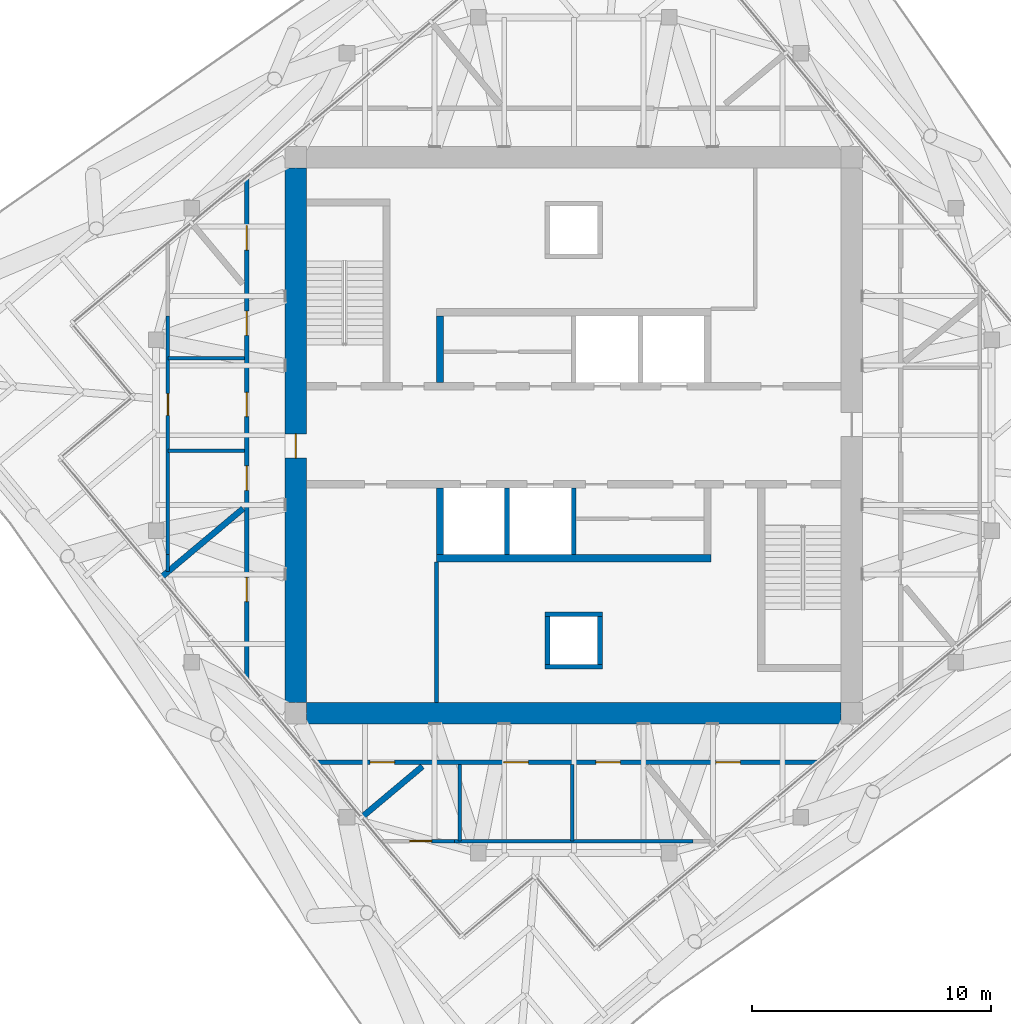
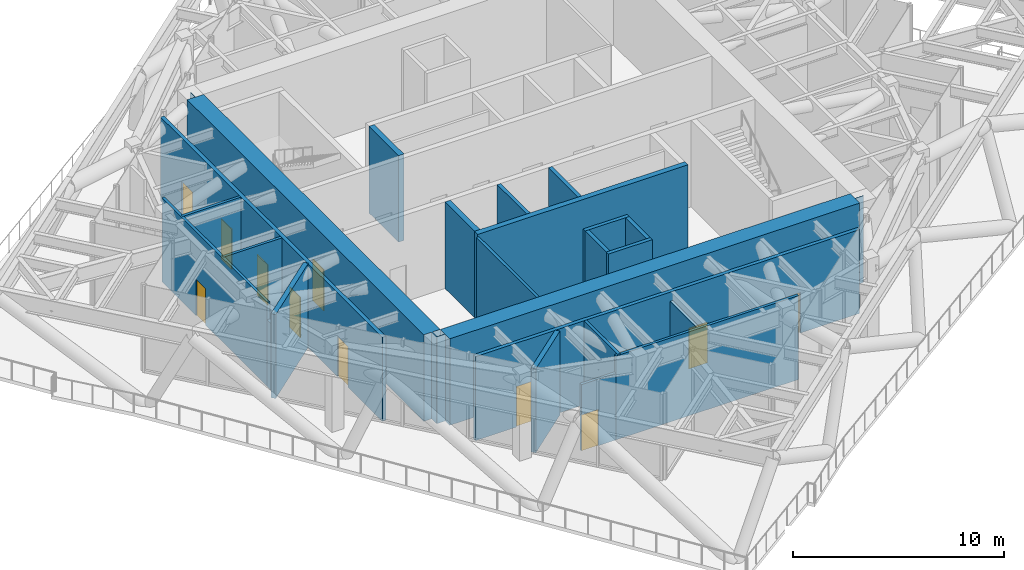
# One storey, part 7 of 15: 24 walls, 12 doors, 12 openings.
"""IFC4 building model written with IfcOpenShell, lengths in metres."""

import ifcopenshell
import ifcopenshell.guid

model = None  # the IFC model being written
_history = None  # IfcOwnerHistory: only IFC2X3 demands one
_inside = {}  # id of a spatial element -> (the spatial element, [elements in it])
_under = {}  # id of a project, library or spatial element -> (it, [spatial elements below it])
_declared = {}  # id of a project -> (the project, [libraries it declares])
_typed = {}  # id of a type object -> (the type object, [elements of that type])
_made_of = {}  # id of a material, layer set ... -> (it, [elements and type objects made of it])


def new_model(schema):
    """Start an empty IFC model of exactly this schema.

    Asked for "IFC4X3", IfcOpenShell would pick the latest addendum, in which some entities
    have other attributes; the version numbers below select the first issue.
    IFC2X3 requires an IfcOwnerHistory on every rooted entity: one is made here for all.
    """
    global model, _history
    if schema == "IFC4X3":
        model = ifcopenshell.file(schema_version=(4, 3, 0, 0))
    else:
        model = ifcopenshell.file(schema=schema)
    _inside.clear()
    _under.clear()
    _declared.clear()
    _typed.clear()
    _made_of.clear()
    _history = None
    if model.schema == "IFC2X3":
        org = make("IfcOrganization", Name="unknown")
        user = make(
            "IfcPersonAndOrganization",
            ThePerson=make("IfcPerson", FamilyName="unknown"),
            TheOrganization=org,
        )
        app = make(
            "IfcApplication",
            ApplicationDeveloper=org,
            Version="unknown",
            ApplicationFullName="unknown",
            ApplicationIdentifier="unknown",
        )
        _history = make(
            "IfcOwnerHistory",
            OwningUser=user,
            OwningApplication=app,
            ChangeAction="ADDED",
            CreationDate=0,
        )
    return model


def make(cls, **values):
    """One entity of the class cls with the attributes given. An attribute that is None is left unset."""
    return model.create_entity(
        cls, **{name: value for name, value in values.items() if value is not None}
    )


def rooted(cls, **values):
    """An entity with a GlobalId (a new one), such as an element, a storey or a relation."""
    return make(cls, GlobalId=ifcopenshell.guid.new(), OwnerHistory=_history, **values)


def si_unit(unit_type, name, prefix=None):
    """IfcSIUnit, for example si_unit("LENGTHUNIT", "METRE", prefix="MILLI")."""
    return make("IfcSIUnit", UnitType=unit_type, Prefix=prefix, Name=name)


def assignment(units):
    """IfcUnitAssignment: the units of a project."""
    return None if units is None else make("IfcUnitAssignment", Units=units)


def point(xyz):
    """IfcCartesianPoint."""
    return None if xyz is None else make("IfcCartesianPoint", Coordinates=xyz)


def direction(xyz):
    """IfcDirection."""
    return None if xyz is None else make("IfcDirection", DirectionRatios=xyz)


def frame(location, z_axis=None, x_axis=None):
    """IfcAxis2Placement3D, a coordinate frame: its origin and axes. An axis left out is left unset."""
    return make(
        "IfcAxis2Placement3D",
        Location=point(location),
        Axis=direction(z_axis),
        RefDirection=direction(x_axis),
    )


def frame_2d(location, x_axis=None):
    """IfcAxis2Placement2D, a coordinate frame in the plane: its origin and x axis."""
    return make(
        "IfcAxis2Placement2D", Location=point(location), RefDirection=direction(x_axis)
    )


def origin():
    """The frame at (0, 0, 0) with its axes left unset."""
    return frame((0.0, 0.0, 0.0))


def place(relative_to, where):
    """IfcLocalPlacement: puts the frame where relative to a parent placement (None: the world)."""
    return make(
        "IfcLocalPlacement", PlacementRelTo=relative_to, RelativePlacement=where
    )


def context(
    kind, dimensions, precision=None, world=None, true_north=None, identifier=None
):
    """IfcGeometricRepresentationContext, for example the 3D "Model" context."""
    return make(
        "IfcGeometricRepresentationContext",
        ContextIdentifier=identifier,
        ContextType=kind,
        CoordinateSpaceDimension=dimensions,
        Precision=precision,
        WorldCoordinateSystem=world,
        TrueNorth=true_north,
    )


def subcontext(parent, identifier, kind, view, scale=None):
    """IfcGeometricRepresentationSubContext, for example "Body" below "Model"."""
    return make(
        "IfcGeometricRepresentationSubContext",
        ContextIdentifier=identifier,
        ContextType=kind,
        ParentContext=parent,
        TargetScale=scale,
        TargetView=view,
    )


def project(units=None, contexts=None):
    """IfcProject with its units and contexts."""
    return rooted(
        "IfcProject",
        Name="project",
        RepresentationContexts=contexts,
        UnitsInContext=assignment(units),
    )


def spatial(cls, under=None, at=None, **own):
    """A site, building, storey or space (cls), placed at a placement, below another one or the project."""
    s = rooted(cls, ObjectPlacement=at, **own)
    if under is not None:
        _under.setdefault(under.id(), (under, []))[1].append(s)
    return s


def polyline(points):
    """IfcPolyline through the points."""
    return make("IfcPolyline", Points=[point(p) for p in points])


def profile(cls, at=None, kind="AREA", **sizes):
    """A parametric profile (cls). Its sizes go by their IFC names, for example OverallWidth=200.0."""
    return make(cls, ProfileType=kind, Position=at, **sizes)


def rectangle(**sizes):
    """IfcRectangleProfileDef."""
    return profile("IfcRectangleProfileDef", **sizes)


def outline(outer, holes=None, kind="AREA"):
    """IfcArbitraryClosedProfileDef: a profile drawn as a closed curve; with holes, ...WithVoids."""
    if holes is None:
        return make("IfcArbitraryClosedProfileDef", ProfileType=kind, OuterCurve=outer)
    return make(
        "IfcArbitraryProfileDefWithVoids",
        ProfileType=kind,
        OuterCurve=outer,
        InnerCurves=holes,
    )


def extrude(swept, where, along, depth):
    """IfcExtrudedAreaSolid: the profile swept, set in the frame where, extruded along a direction by depth."""
    return make(
        "IfcExtrudedAreaSolid",
        SweptArea=swept,
        Position=where,
        ExtrudedDirection=direction(along),
        Depth=depth,
    )


def shape(context_of_items, identifier, shape_type, items):
    """IfcShapeRepresentation: the items that make up one representation, for example the "Body"."""
    return make(
        "IfcShapeRepresentation",
        ContextOfItems=context_of_items,
        RepresentationIdentifier=identifier,
        RepresentationType=shape_type,
        Items=items,
    )


def material(Name=None, Category=None):
    """IfcMaterial."""
    return make("IfcMaterial", Name=Name, Category=Category)


def layer(
    of_material, thickness, ventilated=None, Name=None, Category=None, Priority=None
):
    """IfcMaterialLayer: one layer of a wall or slab, of a material (None: an air gap)."""
    return make(
        "IfcMaterialLayer",
        Material=of_material,
        LayerThickness=thickness,
        IsVentilated=ventilated,
        Name=Name,
        Category=Category,
        Priority=Priority,
    )


def layer_set(layers, Name=None):
    """IfcMaterialLayerSet."""
    return make("IfcMaterialLayerSet", MaterialLayers=layers, LayerSetName=Name)


def made_of(thing, what):
    """Note that an element or type object is made of a material, layer set ...; save() writes the relation."""
    if what is not None:
        _made_of.setdefault(what.id(), (what, []))[1].append(thing)
    return thing


def type_object(cls, material=None, **own):
    """A type object (cls), such as IfcWallType, which elements share."""
    return made_of(rooted(cls, **own), material)


def element(
    cls,
    number,
    at=None,
    inside=None,
    cuts=None,
    type_object=None,
    material=None,
    context=None,
    identifier="Body",
    shape_type=None,
    held_by="IfcProductDefinitionShape",
    body=None,
    shapes=None,
    **own,
):
    """One element of the class cls, such as IfcWall. Its Tag is "e" and its number.

    at: its placement. inside: the storey or other place that contains it. cuts: it is an
    opening in that element (IfcRelVoidsElement). A single representation is given by context,
    identifier, shape_type and body (its items); several are given by shapes. held_by: the class
    of the entity that holds the representations. save() writes the other relations.
    """
    e = rooted(cls, Tag="e%d" % number, ObjectPlacement=at, **own)
    if body is not None:
        shapes = [shape(context, identifier, shape_type, body)]
    if shapes is not None:
        e.Representation = make(held_by, Representations=shapes)
    if inside is not None:
        _inside.setdefault(inside.id(), (inside, []))[1].append(e)
    if cuts is not None:
        rooted(
            "IfcRelVoidsElement", RelatingBuildingElement=cuts, RelatedOpeningElement=e
        )
    if type_object is not None:
        _typed.setdefault(type_object.id(), (type_object, []))[1].append(e)
    return made_of(e, material)


def fill(opening, filler):
    """IfcRelFillsElement: the door or window that sits in an opening."""
    return rooted(
        "IfcRelFillsElement",
        RelatingOpeningElement=opening,
        RelatedBuildingElement=filler,
    )


def aggregate(whole, parts):
    """IfcRelAggregates: a whole, such as a stair, and the parts it consists of."""
    return rooted("IfcRelAggregates", RelatingObject=whole, RelatedObjects=parts)


def save(model, path):
    """Write the relations noted so far, then the file.

    IfcRelAggregates (storeys below a building ...), IfcRelContainedInSpatialStructure (elements
    in a storey), IfcRelDefinesByType, IfcRelAssociatesMaterial and IfcRelDeclares: one each for
    every whole, place, type object, material and project.
    """
    for whole, parts in _under.values():
        aggregate(whole, parts)
    for where, things in _inside.values():
        rooted(
            "IfcRelContainedInSpatialStructure",
            RelatedElements=things,
            RelatingStructure=where,
        )
    for kind, things in _typed.values():
        rooted("IfcRelDefinesByType", RelatedObjects=things, RelatingType=kind)
    for what, things in _made_of.values():
        rooted("IfcRelAssociatesMaterial", RelatedObjects=things, RelatingMaterial=what)
    for by, libraries in _declared.values():
        rooted("IfcRelDeclares", RelatingContext=by, RelatedDefinitions=libraries)
    model.write(path)


model = new_model("IFC4")

# Units and contexts
model_context = context("Model", 3, precision=1e-05, world=origin(), true_north=direction((0.0, 1.0)))
body_context = subcontext(model_context, "Body", "Model", "MODEL_VIEW")
ifc_project = project(units=[si_unit("LENGTHUNIT", "METRE"), si_unit("AREAUNIT", "SQUARE_METRE"), si_unit("VOLUMEUNIT", "CUBIC_METRE"), si_unit("PLANEANGLEUNIT", "RADIAN"), si_unit("MASSUNIT", "GRAM", prefix="KILO")], contexts=[model_context])

# Site, building, storey
site_placement = place(None, origin())
site = spatial("IfcSite", under=ifc_project, at=site_placement, CompositionType="ELEMENT")
building_placement = place(site_placement, origin())
building = spatial("IfcBuilding", under=site, at=building_placement, Name="Torsade Residences", CompositionType="ELEMENT")
storey_placement = place(building_placement, frame((0.0, 0.0, 267.60009765625)))
storey = spatial("IfcBuildingStorey", under=building, at=storey_placement, Name="L74", CompositionType="ELEMENT", Elevation=267.60009765625)

# Walls
ifc_material_1 = material(Name="Concrete 80 MPa", Category="concrete")
ifc_layer_1 = layer(ifc_material_1, 0.300048828125)
ifc_layer_set_1 = layer_set([ifc_layer_1], Name="Concrete 80 MPa")
wall_type_1 = type_object("IfcWallType", Name="CORE INTERNAL WALL 300", PredefinedType="SHEAR", material=ifc_layer_set_1)
wall_1_placement = place(storey_placement, frame((45.75, 24.85009765625, 0.0), z_axis=(0.0, 0.0, 1.0), x_axis=(-1.0, 0.0, 0.0)))
element("IfcWall", 1, at=wall_1_placement, inside=storey, type_object=wall_type_1, Name="Core wall BS L74", PredefinedType="SHEAR", context=body_context, shape_type="SweptSolid", body=[
    extrude(rectangle(XDim=11.5, YDim=0.300048828125, at=frame_2d((5.75, 0.0))), origin(), (0.0, 0.0, 1.0), 5.0),
])
for number, where, z_axis, x_axis, name in (
    (2, (34.39990234375, 32.199951171875, 0.0), (0.0, 0.0, 1.0), (0.0, 1.0, 0.0), "Core wall DN0 L74"),
    (3, (34.39990234375, 27.800048828125, 0.0), (0.0, 0.0, 1.0), (0.0, -1.0, 0.0), "Core wall DS4 L74"),
):
    element("IfcWall", number, at=place(storey_placement, frame(where, z_axis=z_axis, x_axis=x_axis)), inside=storey, type_object=wall_type_1, Name=name, PredefinedType="SHEAR", context=body_context, shape_type="SweptSolid", body=[
        extrude(rectangle(XDim=2.800048828125, YDim=0.300048828125, at=frame_2d((1.39990234375, 0.0))), origin(), (0.0, 0.0, 1.0), 5.0),
    ])
ifc_material_2 = material(Name="Concrete 80 MPa", Category="concrete")
ifc_layer_2 = layer(ifc_material_2, 0.89990234375)
ifc_layer_set_2 = layer_set([ifc_layer_2], Name="Concrete 80 MPa")
wall_type_2 = type_object("IfcWallType", Name="CORE WALL 900", PredefinedType="SHEAR", material=ifc_layer_set_2)
wall_2_placement = place(storey_placement, frame((51.199951171875, 18.35009765625, 0.0), z_axis=(0.0, 0.0, 1.0), x_axis=(-1.0, 0.0, 0.0)))
element("IfcWall", 4, at=wall_2_placement, inside=storey, type_object=wall_type_2, Name="Core wall S L74", PredefinedType="SHEAR", context=body_context, shape_type="SweptSolid", body=[
    extrude(outline(polyline([(0.0, -0.449951171875), (22.39990234375, -0.449951171875), (22.39990234375, -0.02490234375), (22.849853515625, -0.02490234375), (22.849853515625, 0.02490234375), (22.39990234375, 0.02490234375), (22.39990234375, 0.449951171875), (0.0, 0.449951171875), (0.0, 0.02490234375), (-0.449951171875, 0.02490234375), (-0.449951171875, -0.02490234375), (0.0, -0.02490234375), (0.0, -0.449951171875)])), origin(), (0.0, 0.0, 1.0), 5.0),
])

# Wall, opening, door
wall_3_placement = place(storey_placement, frame((28.35009765625, 41.199951171875, 0.0), z_axis=(0.0, 0.0, 1.0), x_axis=(0.0, -1.0, 0.0)))
wall_3 = element("IfcWall", 5, at=wall_3_placement, inside=storey, type_object=wall_type_2, Name="Core wall W L74", PredefinedType="SHEAR", context=body_context, shape_type="SweptSolid", body=[
    extrude(outline(polyline([(0.0, -0.449951171875), (22.39990234375, -0.449951171875), (22.39990234375, -0.02490234375), (22.849853515625, -0.02490234375), (22.849853515625, 0.02490234375), (22.39990234375, 0.02490234375), (22.39990234375, 0.449951171875), (0.0, 0.449951171875), (0.0, 0.02490234375), (-0.449951171875, 0.02490234375), (-0.449951171875, -0.02490234375), (0.0, -0.02490234375), (0.0, -0.449951171875)])), origin(), (0.0, 0.0, 1.0), 5.0),
])
opening_1_placement = place(wall_3_placement, frame((11.139892578125, 0.0, 0.0)))
opening_1 = element("IfcOpeningElement", 6, at=opening_1_placement, cuts=wall_3, Name="Opening D04", PredefinedType="OPENING", context=body_context, shape_type="SweptSolid", body=[
    extrude(rectangle(XDim=1.02001953125, YDim=2.39990234375, at=frame_2d((0.510009765625, 1.199951171875))), frame((0.0, 0.4599609375, 0.0), z_axis=(0.0, -1.0, 0.0), x_axis=(1.0, 0.0, 0.0)), (0.0, 0.0, 1.0), 0.919921875),
])
ifc_material_3 = material(Name="Steel-framed fire door", Category="steel")
door_type_1 = type_object("IfcDoorType", Name="LOBBY SMOKE DOOR 1020x2400", OperationType="NOTDEFINED", PredefinedType="DOOR", material=ifc_material_3)
door_1_placement = place(opening_1_placement, origin())
door_1 = element("IfcDoor", 7, at=door_1_placement, inside=storey, type_object=door_type_1, Name="Lift lobby door W L74", OperationType="SINGLE_SWING_RIGHT", OverallHeight=2.39990234375, OverallWidth=1.02001953125, PredefinedType="DOOR", context=body_context, shape_type="SweptSolid", body=[
    extrude(rectangle(XDim=1.02001953125, YDim=2.39990234375, at=frame_2d((0.510009765625, 1.199951171875))), frame((0.0, 0.02490234375, 0.0), z_axis=(0.0, -1.0, 0.0), x_axis=(1.0, 0.0, 0.0)), (0.0, 0.0, 1.0), 0.050048828125),
])
fill(opening_1, door_1)

# Wall, openings, doors
ifc_material_4 = material(Name="Plasterboard on steel stud", Category="steel")
ifc_layer_3 = layer(ifc_material_4, 0.199951171875)
ifc_layer_set_3 = layer_set([ifc_layer_3], Name="Plasterboard on steel stud")
wall_type_3 = type_object("IfcWallType", Name="CORRIDOR WALL 200", PredefinedType="PARTITIONING", material=ifc_layer_set_3)
wall_4_placement = place(storey_placement, frame((29.225341796875, 16.300048828125, 0.0), z_axis=(0.0, 0.0, 1.0), x_axis=(1.0, 0.0, 0.0)))
wall_4 = element("IfcWall", 8, at=wall_4_placement, inside=storey, type_object=wall_type_3, Name="Corridor wall L74", PredefinedType="PARTITIONING", context=body_context, shape_type="SweptSolid", body=[
    extrude(rectangle(XDim=20.98828125, YDim=0.199951171875, at=frame_2d((10.494140625, 0.0))), origin(), (0.0, 0.0, 1.0), 4.849853515625),
])
opening_2_placement = place(wall_4_placement, frame((16.7294921875, 0.0, 0.0)))
opening_2 = element("IfcOpeningElement", 9, at=opening_2_placement, cuts=wall_4, Name="Opening D01", PredefinedType="OPENING", context=body_context, shape_type="SweptSolid", body=[
    extrude(rectangle(XDim=1.02001953125, YDim=2.340087890625, at=frame_2d((0.510009765625, 1.169921875))), frame((0.0, 0.10986328125, 0.0), z_axis=(0.0, -1.0, 0.0), x_axis=(1.0, 0.0, 0.0)), (0.0, 0.0, 1.0), 0.219970703125),
])
opening_3_placement = place(wall_4_placement, frame((2.24853515625, 0.0, 0.0)))
opening_3 = element("IfcOpeningElement", 10, at=opening_3_placement, cuts=wall_4, Name="Opening D01", PredefinedType="OPENING", context=body_context, shape_type="SweptSolid", body=[
    extrude(rectangle(XDim=1.02001953125, YDim=2.340087890625, at=frame_2d((0.510009765625, 1.169921875))), frame((0.0, 0.10986328125, 0.0), z_axis=(0.0, -1.0, 0.0), x_axis=(1.0, 0.0, 0.0)), (0.0, 0.0, 1.0), 0.219970703125),
])
opening_4_placement = place(wall_4_placement, frame((7.84912109375, 0.0, 0.0)))
opening_4 = element("IfcOpeningElement", 11, at=opening_4_placement, cuts=wall_4, Name="Opening D01", PredefinedType="OPENING", context=body_context, shape_type="SweptSolid", body=[
    extrude(rectangle(XDim=1.02001953125, YDim=2.340087890625, at=frame_2d((0.510009765625, 1.169921875))), frame((0.0, 0.10986328125, 0.0), z_axis=(0.0, -1.0, 0.0), x_axis=(1.0, 0.0, 0.0)), (0.0, 0.0, 1.0), 0.219970703125),
])
opening_5_placement = place(wall_4_placement, frame((11.70361328125, 0.0, 0.0)))
opening_5 = element("IfcOpeningElement", 12, at=opening_5_placement, cuts=wall_4, Name="Opening D01", PredefinedType="OPENING", context=body_context, shape_type="SweptSolid", body=[
    extrude(rectangle(XDim=1.02001953125, YDim=2.340087890625, at=frame_2d((0.510009765625, 1.169921875))), frame((0.0, 0.10986328125, 0.0), z_axis=(0.0, -1.0, 0.0), x_axis=(1.0, 0.0, 0.0)), (0.0, 0.0, 1.0), 0.219970703125),
])
ifc_material_5 = material(Name="Solid-core timber fire door", Category="wood")
door_type_2 = type_object("IfcDoorType", Name="APARTMENT ENTRY DOOR 1020x2340", OperationType="NOTDEFINED", PredefinedType="DOOR", material=ifc_material_5)
door_2_placement = place(opening_2_placement, origin())
door_2 = element("IfcDoor", 13, at=door_2_placement, inside=storey, type_object=door_type_2, Name="Door Plant corridor to Water tank room", OperationType="SINGLE_SWING_LEFT", OverallHeight=2.340087890625, OverallWidth=1.02001953125, PredefinedType="DOOR", context=body_context, shape_type="SweptSolid", body=[
    extrude(rectangle(XDim=1.02001953125, YDim=2.340087890625, at=frame_2d((0.510009765625, 1.169921875))), frame((0.0, 0.02490234375, 0.0), z_axis=(0.0, -1.0, 0.0), x_axis=(1.0, 0.0, 0.0)), (0.0, 0.0, 1.0), 0.050048828125),
])
fill(opening_2, door_2)
door_3_placement = place(opening_3_placement, origin())
door_3 = element("IfcDoor", 14, at=door_3_placement, inside=storey, type_object=door_type_2, Name="Door Plant corridor to Service lobby", OperationType="SINGLE_SWING_RIGHT", OverallHeight=2.340087890625, OverallWidth=1.02001953125, PredefinedType="DOOR", context=body_context, shape_type="SweptSolid", body=[
    extrude(rectangle(XDim=1.02001953125, YDim=2.340087890625, at=frame_2d((0.510009765625, 1.169921875))), frame((0.0, 0.02490234375, 0.0), z_axis=(0.0, -1.0, 0.0), x_axis=(1.0, 0.0, 0.0)), (0.0, 0.0, 1.0), 0.050048828125),
])
fill(opening_3, door_3)
door_4_placement = place(opening_4_placement, origin())
door_4 = element("IfcDoor", 15, at=door_4_placement, inside=storey, type_object=door_type_2, Name="Door Plant corridor to Pump room", OperationType="SINGLE_SWING_RIGHT", OverallHeight=2.340087890625, OverallWidth=1.02001953125, PredefinedType="DOOR", context=body_context, shape_type="SweptSolid", body=[
    extrude(rectangle(XDim=1.02001953125, YDim=2.340087890625, at=frame_2d((0.510009765625, 1.169921875))), frame((0.0, 0.02490234375, 0.0), z_axis=(0.0, -1.0, 0.0), x_axis=(1.0, 0.0, 0.0)), (0.0, 0.0, 1.0), 0.050048828125),
])
fill(opening_4, door_4)
door_5_placement = place(opening_5_placement, origin())
door_5 = element("IfcDoor", 16, at=door_5_placement, inside=storey, type_object=door_type_2, Name="Door Plant corridor to Plant cupboard", OperationType="SINGLE_SWING_RIGHT", OverallHeight=2.340087890625, OverallWidth=1.02001953125, PredefinedType="DOOR", context=body_context, shape_type="SweptSolid", body=[
    extrude(rectangle(XDim=1.02001953125, YDim=2.340087890625, at=frame_2d((0.510009765625, 1.169921875))), frame((0.0, 0.02490234375, 0.0), z_axis=(0.0, -1.0, 0.0), x_axis=(1.0, 0.0, 0.0)), (0.0, 0.0, 1.0), 0.050048828125),
])
fill(opening_5, door_5)

wall_5_placement = place(storey_placement, frame((26.300048828125, 40.774658203125, 0.0), z_axis=(0.0, 0.0, 1.0), x_axis=(0.0, -1.0, 0.0)))
wall_5 = element("IfcWall", 17, at=wall_5_placement, inside=storey, type_object=wall_type_3, Name="Corridor wall L74", PredefinedType="PARTITIONING", context=body_context, shape_type="SweptSolid", body=[
    extrude(rectangle(XDim=20.98828125, YDim=0.199951171875, at=frame_2d((10.494140625, 0.0))), origin(), (0.0, 0.0, 1.0), 4.849853515625),
])
opening_6_placement = place(wall_5_placement, frame((16.7294921875, 0.0, 0.0)))
opening_6 = element("IfcOpeningElement", 18, at=opening_6_placement, cuts=wall_5, Name="Opening D01", PredefinedType="OPENING", context=body_context, shape_type="SweptSolid", body=[
    extrude(rectangle(XDim=1.02001953125, YDim=2.340087890625, at=frame_2d((0.510009765625, 1.169921875))), frame((0.0, 0.10986328125, 0.0), z_axis=(0.0, -1.0, 0.0), x_axis=(1.0, 0.0, 0.0)), (0.0, 0.0, 1.0), 0.219970703125),
])
opening_7_placement = place(wall_5_placement, frame((1.994873046875, 0.0, 0.0)))
opening_7 = element("IfcOpeningElement", 19, at=opening_7_placement, cuts=wall_5, Name="Opening D01", PredefinedType="OPENING", context=body_context, shape_type="SweptSolid", body=[
    extrude(rectangle(XDim=1.02001953125, YDim=2.340087890625, at=frame_2d((0.510009765625, 1.169921875))), frame((0.0, 0.10986328125, 0.0), z_axis=(0.0, -1.0, 0.0), x_axis=(1.0, 0.0, 0.0)), (0.0, 0.0, 1.0), 0.219970703125),
])
opening_8_placement = place(wall_5_placement, frame((8.976318359375, 0.0, 0.0)))
opening_8 = element("IfcOpeningElement", 20, at=opening_8_placement, cuts=wall_5, Name="Opening D01", PredefinedType="OPENING", context=body_context, shape_type="SweptSolid", body=[
    extrude(rectangle(XDim=1.02001953125, YDim=2.340087890625, at=frame_2d((0.510009765625, 1.169921875))), frame((0.0, 0.10986328125, 0.0), z_axis=(0.0, -1.0, 0.0), x_axis=(1.0, 0.0, 0.0)), (0.0, 0.0, 1.0), 0.219970703125),
])
opening_9_placement = place(wall_5_placement, frame((5.572021484375, 0.0, 0.0)))
opening_9 = element("IfcOpeningElement", 21, at=opening_9_placement, cuts=wall_5, Name="Opening D01", PredefinedType="OPENING", context=body_context, shape_type="SweptSolid", body=[
    extrude(rectangle(XDim=1.02001953125, YDim=2.340087890625, at=frame_2d((0.510009765625, 1.169921875))), frame((0.0, 0.10986328125, 0.0), z_axis=(0.0, -1.0, 0.0), x_axis=(1.0, 0.0, 0.0)), (0.0, 0.0, 1.0), 0.219970703125),
])
opening_10_placement = place(wall_5_placement, frame((12.0595703125, 0.0, 0.0)))
opening_10 = element("IfcOpeningElement", 22, at=opening_10_placement, cuts=wall_5, Name="Opening D01", PredefinedType="OPENING", context=body_context, shape_type="SweptSolid", body=[
    extrude(rectangle(XDim=1.02001953125, YDim=2.340087890625, at=frame_2d((0.510009765625, 1.169921875))), frame((0.0, 0.10986328125, 0.0), z_axis=(0.0, -1.0, 0.0), x_axis=(1.0, 0.0, 0.0)), (0.0, 0.0, 1.0), 0.219970703125),
])
door_6_placement = place(opening_6_placement, origin())
door_6 = element("IfcDoor", 23, at=door_6_placement, inside=storey, type_object=door_type_2, Name="Door Plant corridor to Hot water plant room", OperationType="SINGLE_SWING_RIGHT", OverallHeight=2.340087890625, OverallWidth=1.02001953125, PredefinedType="DOOR", context=body_context, shape_type="SweptSolid", body=[
    extrude(rectangle(XDim=1.02001953125, YDim=2.340087890625, at=frame_2d((0.510009765625, 1.169921875))), frame((0.0, 0.02490234375, 0.0), z_axis=(0.0, -1.0, 0.0), x_axis=(1.0, 0.0, 0.0)), (0.0, 0.0, 1.0), 0.050048828125),
])
fill(opening_6, door_6)
door_7_placement = place(opening_7_placement, origin())
door_7 = element("IfcDoor", 24, at=door_7_placement, inside=storey, type_object=door_type_2, Name="Door Plant corridor to Air handling plant room", OperationType="SINGLE_SWING_LEFT", OverallHeight=2.340087890625, OverallWidth=1.02001953125, PredefinedType="DOOR", context=body_context, shape_type="SweptSolid", body=[
    extrude(rectangle(XDim=1.02001953125, YDim=2.340087890625, at=frame_2d((0.510009765625, 1.169921875))), frame((0.0, 0.02490234375, 0.0), z_axis=(0.0, -1.0, 0.0), x_axis=(1.0, 0.0, 0.0)), (0.0, 0.0, 1.0), 0.050048828125),
])
fill(opening_7, door_7)
door_8_placement = place(opening_8_placement, origin())
door_8 = element("IfcDoor", 25, at=door_8_placement, inside=storey, type_object=door_type_2, Name="Door Plant corridor to Service lobby", OperationType="SINGLE_SWING_LEFT", OverallHeight=2.340087890625, OverallWidth=1.02001953125, PredefinedType="DOOR", context=body_context, shape_type="SweptSolid", body=[
    extrude(rectangle(XDim=1.02001953125, YDim=2.340087890625, at=frame_2d((0.510009765625, 1.169921875))), frame((0.0, 0.02490234375, 0.0), z_axis=(0.0, -1.0, 0.0), x_axis=(1.0, 0.0, 0.0)), (0.0, 0.0, 1.0), 0.050048828125),
])
fill(opening_8, door_8)
door_9_placement = place(opening_9_placement, origin())
door_9 = element("IfcDoor", 26, at=door_9_placement, inside=storey, type_object=door_type_2, Name="Door Plant corridor to Pump room", OperationType="SINGLE_SWING_LEFT", OverallHeight=2.340087890625, OverallWidth=1.02001953125, PredefinedType="DOOR", context=body_context, shape_type="SweptSolid", body=[
    extrude(rectangle(XDim=1.02001953125, YDim=2.340087890625, at=frame_2d((0.510009765625, 1.169921875))), frame((0.0, 0.02490234375, 0.0), z_axis=(0.0, -1.0, 0.0), x_axis=(1.0, 0.0, 0.0)), (0.0, 0.0, 1.0), 0.050048828125),
])
fill(opening_9, door_9)
door_10_placement = place(opening_10_placement, origin())
door_10 = element("IfcDoor", 27, at=door_10_placement, inside=storey, type_object=door_type_2, Name="Door Plant corridor to Plant cupboard", OperationType="SINGLE_SWING_RIGHT", OverallHeight=2.340087890625, OverallWidth=1.02001953125, PredefinedType="DOOR", context=body_context, shape_type="SweptSolid", body=[
    extrude(rectangle(XDim=1.02001953125, YDim=2.340087890625, at=frame_2d((0.510009765625, 1.169921875))), frame((0.0, 0.02490234375, 0.0), z_axis=(0.0, -1.0, 0.0), x_axis=(1.0, 0.0, 0.0)), (0.0, 0.0, 1.0), 0.050048828125),
])
fill(opening_10, door_10)

# Walls
ifc_material_6 = material(Name="Reinforced blockwork", Category="masonry")
ifc_layer_4 = layer(ifc_material_6, 0.199951171875)
ifc_layer_set_4 = layer_set([ifc_layer_4], Name="Reinforced blockwork")
wall_type_4 = type_object("IfcWallType", Name="LIFT SHAFT DIVIDING WALL 200", PredefinedType="SOLIDWALL", material=ifc_layer_set_4)
for number, where, z_axis, x_axis, name in (
    (28, (40.0, 27.800048828125, 0.0), (0.0, 0.0, 1.0), (0.0, -1.0, 0.0), "Core wall DS2 L74"),
    (29, (37.199951171875, 27.800048828125, 0.0), (0.0, 0.0, 1.0), (0.0, -1.0, 0.0), "Core wall DS3 L74"),
):
    element("IfcWall", number, at=place(storey_placement, frame(where, z_axis=z_axis, x_axis=x_axis)), inside=storey, type_object=wall_type_4, Name=name, PredefinedType="SOLIDWALL", context=body_context, shape_type="SweptSolid", body=[
        extrude(rectangle(XDim=2.800048828125, YDim=0.199951171875, at=frame_2d((1.39990234375, 0.0))), origin(), (0.0, 0.0, 1.0), 5.0),
    ])
ifc_material_7 = material(Name="Masonry-lined stud party wall", Category="masonry")
ifc_layer_5 = layer(ifc_material_7, 0.25)
ifc_layer_set_5 = layer_set([ifc_layer_5], Name="Masonry-lined stud party wall")
wall_type_5 = type_object("IfcWallType", Name="PARTY WALL 250", PredefinedType="PARTITIONING", material=ifc_layer_set_5)
wall_6_placement = place(storey_placement, frame((22.6904296875, 24.02587890625, 0.0), z_axis=(0.0, 0.0, 1.0), x_axis=(0.766036989917, 0.642796491962, 0.0)))
element("IfcWall", 30, at=wall_6_placement, inside=storey, type_object=wall_type_5, Name="Party wall L74", PredefinedType="PARTITIONING", context=body_context, shape_type="SweptSolid", body=[
    extrude(rectangle(XDim=4.5166015625, YDim=0.25, at=frame_2d((2.25830078125, 0.0))), origin(), (0.0, 0.0, 1.0), 4.849853515625),
])
wall_7_placement = place(storey_placement, frame((31.11083984375, 13.99072265625, 0.0), z_axis=(0.0, 0.0, 1.0), x_axis=(0.766070357753, 0.642756724565, 0.0)))
element("IfcWall", 31, at=wall_7_placement, inside=storey, type_object=wall_type_5, Name="Party wall L74", PredefinedType="PARTITIONING", context=body_context, shape_type="SweptSolid", body=[
    extrude(rectangle(XDim=3.328125, YDim=0.25, at=frame_2d((1.6640625, 0.0))), origin(), (0.0, 0.0, 1.0), 4.849853515625),
])
ifc_material_8 = material(Name="Reinforced blockwork", Category="masonry")
ifc_layer_6 = layer(ifc_material_8, 0.199951171875)
ifc_layer_set_6 = layer_set([ifc_layer_6], Name="Reinforced blockwork")
wall_type_6 = type_object("IfcWallType", Name="RISER SHAFT WALL 200", PredefinedType="SOLIDWALL", material=ifc_layer_set_6)
for number, where, z_axis, x_axis, name in (
    (32, (38.89990234375, 22.39990234375, 0.0), (0.0, 0.0, 1.0), (0.0, -1.0, 0.0), "Core wall RS2a L74"),
    (33, (41.10009765625, 22.39990234375, 0.0), (0.0, 0.0, 1.0), (0.0, -1.0, 0.0), "Core wall RS2b L74"),
):
    element("IfcWall", number, at=place(storey_placement, frame(where, z_axis=z_axis, x_axis=x_axis)), inside=storey, type_object=wall_type_6, Name=name, PredefinedType="SOLIDWALL", context=body_context, shape_type="SweptSolid", body=[
        extrude(rectangle(XDim=2.0, YDim=0.199951171875, at=frame_2d((1.0, 0.0))), origin(), (0.0, 0.0, 1.0), 5.0),
    ])
for number, where, z_axis, x_axis, name in (
    (34, (38.800048828125, 22.5, 0.0), (0.0, 0.0, 1.0), (1.0, 0.0, 0.0), "Core wall RS2c L74"),
    (35, (38.800048828125, 20.300048828125, 0.0), (0.0, 0.0, 1.0), (1.0, 0.0, 0.0), "Core wall RS2d L74"),
):
    element("IfcWall", number, at=place(storey_placement, frame(where, z_axis=z_axis, x_axis=x_axis)), inside=storey, type_object=wall_type_6, Name=name, PredefinedType="SOLIDWALL", context=body_context, shape_type="SweptSolid", body=[
        extrude(rectangle(XDim=2.39990234375, YDim=0.199951171875, at=frame_2d((1.199951171875, 0.0))), origin(), (0.0, 0.0, 1.0), 5.0),
    ])
ifc_material_9 = material(Name="Reinforced blockwork", Category="masonry")
ifc_layer_7 = layer(ifc_material_9, 0.14990234375)
ifc_layer_set_7 = layer_set([ifc_layer_7], Name="Reinforced blockwork")
wall_type_7 = type_object("IfcWallType", Name="SERVICE ROOM WALL 150", PredefinedType="SOLIDWALL", material=ifc_layer_set_7)
wall_8_placement = place(storey_placement, frame((34.25, 18.800048828125, 0.0), z_axis=(0.0, 0.0, 1.0), x_axis=(0.0, 1.0, 0.0)))
element("IfcWall", 36, at=wall_8_placement, inside=storey, type_object=wall_type_7, Name="Service room wall L74", PredefinedType="SOLIDWALL", context=body_context, shape_type="SweptSolid", body=[
    extrude(rectangle(XDim=5.89990234375, YDim=0.14990234375, at=frame_2d((2.949951171875, 0.0))), origin(), (0.0, 0.0, 1.0), 4.849853515625),
])
wall_9_placement = place(storey_placement, frame((35.228515625, 16.199951171875, 0.0), z_axis=(0.0, 0.0, 1.0), x_axis=(0.0, -1.0, 0.0)))
element("IfcWall", 37, at=wall_9_placement, inside=storey, type_object=wall_type_7, Name="Service room wall L74", PredefinedType="SOLIDWALL", context=body_context, shape_type="SweptSolid", body=[
    extrude(rectangle(XDim=3.199951171875, YDim=0.14990234375, at=frame_2d((1.60009765625, 0.0))), origin(), (0.0, 0.0, 1.0), 4.849853515625),
])
wall_10_placement = place(storey_placement, frame((44.98828125, 13.0, 0.0), z_axis=(0.0, 0.0, 1.0), x_axis=(-1.0, 0.0, 0.0)))
element("IfcWall", 38, at=wall_10_placement, inside=storey, type_object=wall_type_7, Name="Service room wall L74", PredefinedType="SOLIDWALL", context=body_context, shape_type="SweptSolid", body=[
    extrude(rectangle(XDim=9.9765625, YDim=0.14990234375, at=frame_2d((4.98828125, 0.0))), origin(), (0.0, 0.0, 1.0), 4.849853515625),
])

# Wall, opening, door
wall_11_placement = place(storey_placement, frame((35.01171875, 13.0, 0.0), z_axis=(0.0, 0.0, 1.0), x_axis=(-1.0, 0.0, 0.0)))
wall_11 = element("IfcWall", 39, at=wall_11_placement, inside=storey, type_object=wall_type_7, Name="Service room wall L74", PredefinedType="SOLIDWALL", context=body_context, shape_type="SweptSolid", body=[
    extrude(rectangle(XDim=1.886474609375, YDim=0.14990234375, at=frame_2d((0.943359375, 0.0))), origin(), (0.0, 0.0, 1.0), 3.849853515625),
])
opening_11_placement = place(wall_11_placement, frame((0.96630859375, 0.0, 0.0)))
opening_11 = element("IfcOpeningElement", 40, at=opening_11_placement, cuts=wall_11, Name="Opening D06", PredefinedType="OPENING", context=body_context, shape_type="SweptSolid", body=[
    extrude(rectangle(XDim=0.919921875, YDim=2.10009765625, at=frame_2d((0.4599609375, 1.050048828125))), frame((0.0, 0.0849609375, 0.0), z_axis=(0.0, -1.0, 0.0), x_axis=(1.0, 0.0, 0.0)), (0.0, 0.0, 1.0), 0.169921875),
])
ifc_material_10 = material(Name="Steel-framed fire door", Category="steel")
door_type_3 = type_object("IfcDoorType", Name="FIRE DOOR 920", OperationType="NOTDEFINED", PredefinedType="DOOR", material=ifc_material_10)
door_11_placement = place(opening_11_placement, origin())
door_11 = element("IfcDoor", 41, at=door_11_placement, inside=storey, type_object=door_type_3, Name="Door Service lobby to Mechanical plant room", OperationType="SINGLE_SWING_LEFT", OverallHeight=2.10009765625, OverallWidth=0.919921875, PredefinedType="DOOR", context=body_context, shape_type="SweptSolid", body=[
    extrude(rectangle(XDim=0.919921875, YDim=2.10009765625, at=frame_2d((0.4599609375, 1.050048828125))), frame((0.0, 0.02490234375, 0.0), z_axis=(0.0, -1.0, 0.0), x_axis=(1.0, 0.0, 0.0)), (0.0, 0.0, 1.0), 0.050048828125),
])
fill(opening_11, door_11)

# Walls
wall_12_placement = place(storey_placement, frame((39.9404296875, 16.199951171875, 0.0), z_axis=(0.0, 0.0, 1.0), x_axis=(0.0, -1.0, 0.0)))
element("IfcWall", 42, at=wall_12_placement, inside=storey, type_object=wall_type_7, Name="Service room wall L74", PredefinedType="SOLIDWALL", context=body_context, shape_type="SweptSolid", body=[
    extrude(rectangle(XDim=3.199951171875, YDim=0.14990234375, at=frame_2d((1.60009765625, 0.0))), origin(), (0.0, 0.0, 1.0), 4.32080078125),
])
for number, where, z_axis, x_axis, name in (
    (43, (23.0, 33.228515625, 0.0), (0.0, 0.0, 1.0), (1.0, 0.0, 0.0), "Service room wall L74"),
    (44, (26.199951171875, 29.347900390625, 0.0), (0.0, 0.0, 1.0), (-1.0, 0.0, 0.0), "Service room wall L74"),
):
    element("IfcWall", number, at=place(storey_placement, frame(where, z_axis=z_axis, x_axis=x_axis)), inside=storey, type_object=wall_type_7, Name=name, PredefinedType="SOLIDWALL", context=body_context, shape_type="SweptSolid", body=[
        extrude(rectangle(XDim=3.199951171875, YDim=0.14990234375, at=frame_2d((1.60009765625, 0.0))), origin(), (0.0, 0.0, 1.0), 4.849853515625),
    ])
wall_13_placement = place(storey_placement, frame((23.0, 24.28564453125, 0.0), z_axis=(0.0, 0.0, 1.0), x_axis=(0.0, 1.0, 0.0)))
element("IfcWall", 45, at=wall_13_placement, inside=storey, type_object=wall_type_7, Name="Service room wall L74", PredefinedType="SOLIDWALL", context=body_context, shape_type="SweptSolid", body=[
    extrude(rectangle(XDim=0.72607421875, YDim=0.14990234375, at=frame_2d((0.363037109375, 0.0))), origin(), (0.0, 0.0, 1.0), 3.849853515625),
])

# Wall, opening, door
wall_14_placement = place(storey_placement, frame((23.0, 25.01171875, 0.0), z_axis=(0.0, 0.0, 1.0), x_axis=(0.0, 1.0, 0.0)))
wall_14 = element("IfcWall", 46, at=wall_14_placement, inside=storey, type_object=wall_type_7, Name="Service room wall L74", PredefinedType="SOLIDWALL", context=body_context, shape_type="SweptSolid", body=[
    extrude(rectangle(XDim=9.9765625, YDim=0.14990234375, at=frame_2d((4.98828125, 0.0))), origin(), (0.0, 0.0, 1.0), 4.849853515625),
])
opening_12_placement = place(wall_14_placement, frame((5.81640625, 0.0, 0.0)))
opening_12 = element("IfcOpeningElement", 47, at=opening_12_placement, cuts=wall_14, Name="Opening D06", PredefinedType="OPENING", context=body_context, shape_type="SweptSolid", body=[
    extrude(rectangle(XDim=0.919921875, YDim=2.10009765625, at=frame_2d((0.4599609375, 1.050048828125))), frame((0.0, 0.0849609375, 0.0), z_axis=(0.0, -1.0, 0.0), x_axis=(1.0, 0.0, 0.0)), (0.0, 0.0, 1.0), 0.169921875),
])
door_12_placement = place(opening_12_placement, origin())
door_12 = element("IfcDoor", 48, at=door_12_placement, inside=storey, type_object=door_type_3, Name="Door Service lobby to Mechanical plant room", OperationType="SINGLE_SWING_RIGHT", OverallHeight=2.10009765625, OverallWidth=0.919921875, PredefinedType="DOOR", context=body_context, shape_type="SweptSolid", body=[
    extrude(rectangle(XDim=0.919921875, YDim=2.10009765625, at=frame_2d((0.4599609375, 1.050048828125))), frame((0.0, 0.02490234375, 0.0), z_axis=(0.0, -1.0, 0.0), x_axis=(1.0, 0.0, 0.0)), (0.0, 0.0, 1.0), 0.050048828125),
])
fill(opening_12, door_12)

save(model, "model.ifc")
